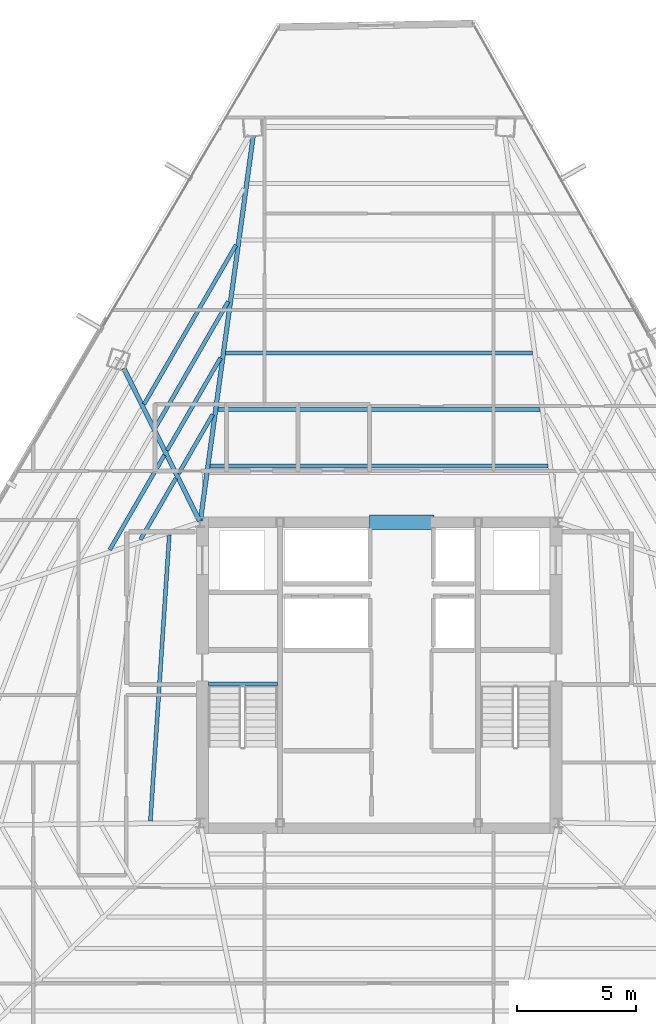
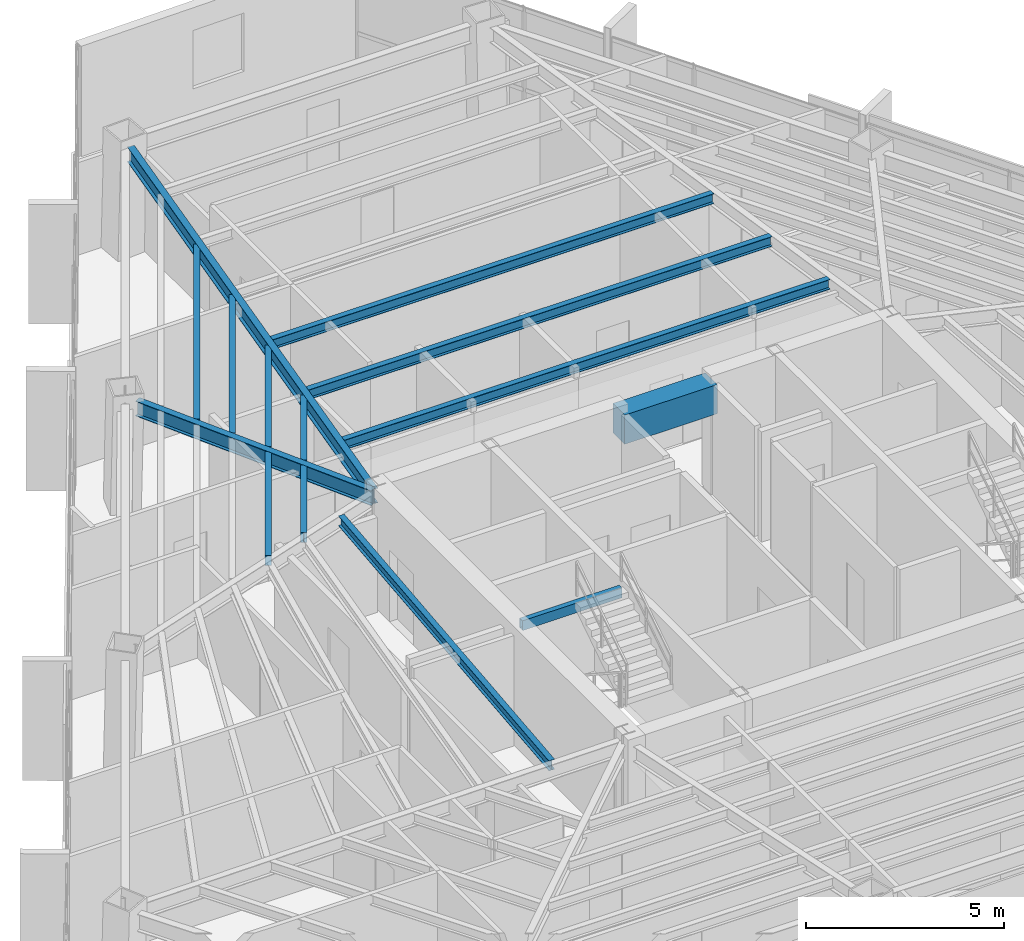
# One storey, part 17 of 42: 14 beams.
"""IFC4 building model written with IfcOpenShell, lengths in metres."""

from ifc_helpers import new_model, si_unit, direction, frame, origin, origin_2d, place, context, subcontext, project, spatial, rectangle, hollow_rectangle, i_section, extrude, source, transform, mapped, material, material_profile, profile_set, type_object, type_shapes, element, save


model = new_model("IFC4")

# Units and contexts
model_context = context("Model", 3, precision=1e-05, world=origin(), true_north=direction((0.0, 1.0)))
body_context = subcontext(model_context, "Body", "Model", "MODEL_VIEW")
ifc_project = project(units=[si_unit("LENGTHUNIT", "METRE"), si_unit("AREAUNIT", "SQUARE_METRE"), si_unit("VOLUMEUNIT", "CUBIC_METRE"), si_unit("PLANEANGLEUNIT", "RADIAN"), si_unit("MASSUNIT", "GRAM", prefix="KILO")], contexts=[model_context])

# Site, building, storey
site_placement = place(None, origin())
site = spatial("IfcSite", under=ifc_project, at=site_placement, CompositionType="ELEMENT")
building_placement = place(site_placement, origin())
building = spatial("IfcBuilding", under=site, at=building_placement, Name="Caelisora Broadcast Tower", CompositionType="ELEMENT")
storey_placement = place(building_placement, frame((0.0, 0.0, 195.0)))
storey = spatial("IfcBuildingStorey", under=building, at=storey_placement, Name="L51", CompositionType="ELEMENT", Elevation=195.0)

# Beams
ifc_material_1 = material(Name="Steel Grade 350 (AS/NZS 1163 C350L0)", Category="steel")
ifc_material_profile_1 = material_profile(ifc_material_1, hollow_rectangle(XDim=0.14990234375, YDim=0.300048828125, WallThickness=0.010009765625, at=origin_2d()), Name="Steel Grade 350 (AS/NZS 1163 C350L0)")
ifc_profile_set_1 = profile_set([ifc_material_profile_1], Name="Steel Grade 350 (AS/NZS 1163 C350L0)")
beam_type_1 = type_object("IfcBeamType", Name="SB05", PredefinedType="JOIST", material=ifc_profile_set_1)
shared_shape_1 = source(origin(), body_context, "Body", "SweptSolid", [
    extrude(hollow_rectangle(XDim=0.14990234375, YDim=0.300048828125, WallThickness=0.010009765625, at=origin_2d()), origin(), (0.0, 0.0, 1.0), 2.89990234375),
])
type_shapes(beam_type_1, [shared_shape_1])
beam_1_placement = place(storey_placement, frame((30.840087890625, 23.219970703125, 3.25), z_axis=(1.0, 0.0, 0.0), x_axis=(0.0, 1.0, 0.0)))
element("IfcBeam", 1, at=beam_1_placement, inside=storey, type_object=beam_type_1, Name="L51 beam SB05", PredefinedType="JOIST", context=body_context, shape_type="MappedRepresentation", body=[
    mapped(shared_shape_1, transform((0.0, 0.0, 0.0), scale=1.0)),
])
ifc_material_2 = material(Name="Concrete 50 MPa (AS 3600 S50)", Category="concrete")
ifc_material_profile_2 = material_profile(ifc_material_2, rectangle(XDim=0.60009765625, YDim=0.89990234375, at=origin_2d()), Name="Concrete 50 MPa (AS 3600 S50)")
ifc_profile_set_2 = profile_set([ifc_material_profile_2], Name="Concrete 50 MPa (AS 3600 S50)")
beam_type_2 = type_object("IfcBeamType", Name="CB02", PredefinedType="LINTEL", material=ifc_profile_set_2)
shared_shape_2 = source(origin(), body_context, "Body", "SweptSolid", [
    extrude(rectangle(XDim=0.60009765625, YDim=0.89990234375, at=origin_2d()), origin(), (0.0, 0.0, 1.0), 2.699951171875),
])
type_shapes(beam_type_2, [shared_shape_2])
beam_2_placement = place(storey_placement, frame((37.60009765625, 30.0, 2.949951171875), z_axis=(1.0, 0.0, 0.0), x_axis=(0.0, 1.0, 0.0)))
element("IfcBeam", 2, at=beam_2_placement, inside=storey, type_object=beam_type_2, Name="L51 beam CB02", PredefinedType="LINTEL", context=body_context, shape_type="MappedRepresentation", body=[
    mapped(shared_shape_2, transform((0.0, 0.0, 0.0), scale=1.0)),
])
ifc_material_3 = material(Name="Steel Grade 350 (AS/NZS 3679.1)", Category="steel")
ifc_material_profile_3 = material_profile(ifc_material_3, i_section(OverallWidth=0.19091796875, OverallDepth=0.46044921875, WebThickness=0.010009765625, FlangeThickness=0.01611328125, at=origin_2d()), Name="Steel Grade 350 (AS/NZS 3679.1)")
ifc_profile_set_3 = profile_set([ifc_material_profile_3], Name="Steel Grade 350 (AS/NZS 3679.1)")
beam_type_3 = type_object("IfcBeamType", Name="PG06", PredefinedType="BEAM", material=ifc_profile_set_3)
shared_shape_3 = source(origin(), body_context, "Body", "SweptSolid", [
    extrude(i_section(OverallWidth=0.19091796875, OverallDepth=0.46044921875, WebThickness=0.010009765625, FlangeThickness=0.01611328125, at=origin_2d()), origin(), (0.0, 0.0, 1.0), 16.29248046875),
])
beam_3_placement = place(storey_placement, frame((30.50830078125, 30.059326171875, 3.169921875), z_axis=(0.135958391487, 0.990714548084, 0.0), x_axis=(-0.990714548084, 0.135958391487, 0.0)))
element("IfcBeam", 3, at=beam_3_placement, inside=storey, type_object=beam_type_3, Name="L51 beam PG06", PredefinedType="BEAM", context=body_context, shape_type="MappedRepresentation", body=[
    mapped(shared_shape_3, transform((0.0, 0.0, 0.0), scale=1.0)),
])
shared_shape_4 = source(origin(), body_context, "Body", "SweptSolid", [
    extrude(i_section(OverallWidth=0.19091796875, OverallDepth=0.46044921875, WebThickness=0.010009765625, FlangeThickness=0.01611328125, at=origin_2d()), origin(), (0.0, 0.0, 1.0), 7.1494140625),
])
type_shapes(beam_type_3, [shared_shape_3, shared_shape_4])
beam_4_placement = place(storey_placement, frame((30.473388671875, 30.0537109375, 3.169921875), z_axis=(-0.444411210266, 0.89582290448, 0.0), x_axis=(-0.89582290448, -0.444411210266, 0.0)))
element("IfcBeam", 4, at=beam_4_placement, inside=storey, type_object=beam_type_3, Name="L51 beam PG06", PredefinedType="BEAM", context=body_context, shape_type="MappedRepresentation", body=[
    mapped(shared_shape_4, transform((0.0, 0.0, 0.0), scale=1.0)),
])
ifc_material_profile_4 = material_profile(ifc_material_3, i_section(OverallWidth=0.166015625, OverallDepth=0.30712890625, WebThickness=0.006591796875, FlangeThickness=0.01171875, at=origin_2d()), Name="Steel Grade 350 (AS/NZS 3679.1)")
ifc_profile_set_4 = profile_set([ifc_material_profile_4], Name="Steel Grade 350 (AS/NZS 3679.1)")
beam_type_4 = type_object("IfcBeamType", Name="SB03", PredefinedType="JOIST", material=ifc_profile_set_4)
shared_shape_5 = source(origin(), body_context, "Body", "SweptSolid", [
    extrude(i_section(OverallWidth=0.166015625, OverallDepth=0.30712890625, WebThickness=0.006591796875, FlangeThickness=0.01171875, at=origin_2d()), origin(), (0.0, 0.0, 1.0), 14.16357421875),
])
beam_5_placement = place(storey_placement, frame((45.081787109375, 32.36767578125, 3.246337890625), z_axis=(-1.0, 0.0, 0.0), x_axis=(0.0, -1.0, 0.0)))
element("IfcBeam", 5, at=beam_5_placement, inside=storey, type_object=beam_type_4, Name="L51 beam SB03", PredefinedType="JOIST", context=body_context, shape_type="MappedRepresentation", body=[
    mapped(shared_shape_5, transform((0.0, 0.0, 0.0), scale=1.0)),
])
shared_shape_6 = source(origin(), body_context, "Body", "SweptSolid", [
    extrude(i_section(OverallWidth=0.166015625, OverallDepth=0.30712890625, WebThickness=0.006591796875, FlangeThickness=0.01171875, at=origin_2d()), origin(), (0.0, 0.0, 1.0), 13.51318359375),
])
beam_6_placement = place(storey_placement, frame((44.756591796875, 34.735107421875, 3.246337890625), z_axis=(-1.0, 0.0, 0.0), x_axis=(0.0, -1.0, 0.0)))
element("IfcBeam", 6, at=beam_6_placement, inside=storey, type_object=beam_type_4, Name="L51 beam SB03", PredefinedType="JOIST", context=body_context, shape_type="MappedRepresentation", body=[
    mapped(shared_shape_6, transform((0.0, 0.0, 0.0), scale=1.0)),
])
shared_shape_7 = source(origin(), body_context, "Body", "SweptSolid", [
    extrude(i_section(OverallWidth=0.166015625, OverallDepth=0.30712890625, WebThickness=0.006591796875, FlangeThickness=0.01171875, at=origin_2d()), origin(), (0.0, 0.0, 1.0), 12.86376953125),
])
beam_7_placement = place(storey_placement, frame((44.431884765625, 37.102783203125, 3.246337890625), z_axis=(-1.0, 0.0, 0.0), x_axis=(0.0, -1.0, 0.0)))
element("IfcBeam", 7, at=beam_7_placement, inside=storey, type_object=beam_type_4, Name="L51 beam SB03", PredefinedType="JOIST", context=body_context, shape_type="MappedRepresentation", body=[
    mapped(shared_shape_7, transform((0.0, 0.0, 0.0), scale=1.0)),
])
shared_shape_8 = source(origin(), body_context, "Body", "SweptSolid", [
    extrude(i_section(OverallWidth=0.166015625, OverallDepth=0.30712890625, WebThickness=0.006591796875, FlangeThickness=0.01171875, at=origin_2d()), origin(), (0.0, 0.0, 1.0), 2.865966796875),
])
beam_8_placement = place(storey_placement, frame((31.025634765625, 34.52001953125, 3.246337890625), z_axis=(-0.499978095242, -0.866038050133, 0.0), x_axis=(0.866038050133, -0.499978095242, 0.0)))
element("IfcBeam", 8, at=beam_8_placement, inside=storey, type_object=beam_type_4, Name="L51 beam SB03", PredefinedType="JOIST", context=body_context, shape_type="MappedRepresentation", body=[
    mapped(shared_shape_8, transform((0.0, 0.0, 0.0), scale=1.0)),
])
shared_shape_9 = source(origin(), body_context, "Body", "SweptSolid", [
    extrude(i_section(OverallWidth=0.166015625, OverallDepth=0.30712890625, WebThickness=0.006591796875, FlangeThickness=0.01171875, at=origin_2d()), origin(), (0.0, 0.0, 1.0), 4.47900390625),
])
beam_9_placement = place(storey_placement, frame((31.3505859375, 36.8876953125, 3.246337890625), z_axis=(-0.500002408836, -0.866024013038, 0.0), x_axis=(0.866024013038, -0.500002408836, 0.0)))
element("IfcBeam", 9, at=beam_9_placement, inside=storey, type_object=beam_type_4, Name="L51 beam SB03", PredefinedType="JOIST", context=body_context, shape_type="MappedRepresentation", body=[
    mapped(shared_shape_9, transform((0.0, 0.0, 0.0), scale=1.0)),
])
shared_shape_10 = source(origin(), body_context, "Body", "SweptSolid", [
    extrude(i_section(OverallWidth=0.166015625, OverallDepth=0.30712890625, WebThickness=0.006591796875, FlangeThickness=0.01171875, at=origin_2d()), origin(), (0.0, 0.0, 1.0), 6.092041015625),
])
beam_10_placement = place(storey_placement, frame((31.675537109375, 39.25537109375, 3.246337890625), z_axis=(-0.499983789798, -0.866034762547, 0.0), x_axis=(0.866034762547, -0.499983789798, 0.0)))
element("IfcBeam", 10, at=beam_10_placement, inside=storey, type_object=beam_type_4, Name="L51 beam SB03", PredefinedType="JOIST", context=body_context, shape_type="MappedRepresentation", body=[
    mapped(shared_shape_10, transform((0.0, 0.0, 0.0), scale=1.0)),
])
shared_shape_11 = source(origin(), body_context, "Body", "SweptSolid", [
    extrude(i_section(OverallWidth=0.166015625, OverallDepth=0.30712890625, WebThickness=0.006591796875, FlangeThickness=0.01171875, at=origin_2d()), origin(), (0.0, 0.0, 1.0), 7.704833984375),
])
beam_11_placement = place(storey_placement, frame((32.00048828125, 41.622802734375, 3.246337890625), z_axis=(-0.499986686542, -0.866033090176, 0.0), x_axis=(0.866033090176, -0.499986686542, 0.0)))
element("IfcBeam", 11, at=beam_11_placement, inside=storey, type_object=beam_type_4, Name="L51 beam SB03", PredefinedType="JOIST", context=body_context, shape_type="MappedRepresentation", body=[
    mapped(shared_shape_11, transform((0.0, 0.0, 0.0), scale=1.0)),
])
shared_shape_12 = source(origin(), body_context, "Body", "SweptSolid", [
    extrude(i_section(OverallWidth=0.166015625, OverallDepth=0.30712890625, WebThickness=0.006591796875, FlangeThickness=0.01171875, at=origin_2d()), origin(), (0.0, 0.0, 1.0), 2.9736328125),
])
beam_12_placement = place(storey_placement, frame((29.48095703125, 31.8447265625, 3.246337890625), z_axis=(-0.500006734102, -0.866021515814, 0.0), x_axis=(0.866021515814, -0.500006734102, 0.0)))
element("IfcBeam", 12, at=beam_12_placement, inside=storey, type_object=beam_type_4, Name="L51 beam SB03", PredefinedType="JOIST", context=body_context, shape_type="MappedRepresentation", body=[
    mapped(shared_shape_12, transform((0.0, 0.0, 0.0), scale=1.0)),
])
shared_shape_13 = source(origin(), body_context, "Body", "SweptSolid", [
    extrude(i_section(OverallWidth=0.166015625, OverallDepth=0.30712890625, WebThickness=0.006591796875, FlangeThickness=0.01171875, at=origin_2d()), origin(), (0.0, 0.0, 1.0), 4.586669921875),
])
beam_13_placement = place(storey_placement, frame((28.99951171875, 32.8154296875, 3.246337890625), z_axis=(-0.49998048292, -0.866036671682, 0.0), x_axis=(0.866036671682, -0.49998048292, 0.0)))
element("IfcBeam", 13, at=beam_13_placement, inside=storey, type_object=beam_type_4, Name="L51 beam SB03", PredefinedType="JOIST", context=body_context, shape_type="MappedRepresentation", body=[
    mapped(shared_shape_13, transform((0.0, 0.0, 0.0), scale=1.0)),
])
shared_shape_14 = source(origin(), body_context, "Body", "SweptSolid", [
    extrude(i_section(OverallWidth=0.166015625, OverallDepth=0.30712890625, WebThickness=0.006591796875, FlangeThickness=0.01171875, at=origin_2d()), origin(), (0.0, 0.0, 1.0), 12.03076171875),
])
type_shapes(beam_type_4, [shared_shape_5, shared_shape_6, shared_shape_7, shared_shape_8, shared_shape_9, shared_shape_10, shared_shape_11, shared_shape_12, shared_shape_13, shared_shape_14])
beam_14_placement = place(storey_placement, frame((29.205322265625, 29.47412109375, 3.246337890625), z_axis=(-0.065972170129, -0.997821463373, 0.0), x_axis=(0.997821463373, -0.065972170129, 0.0)))
element("IfcBeam", 14, at=beam_14_placement, inside=storey, type_object=beam_type_4, Name="L51 beam SB03", PredefinedType="JOIST", context=body_context, shape_type="MappedRepresentation", body=[
    mapped(shared_shape_14, transform((0.0, 0.0, 0.0), scale=1.0)),
])

save(model, "model.ifc")
